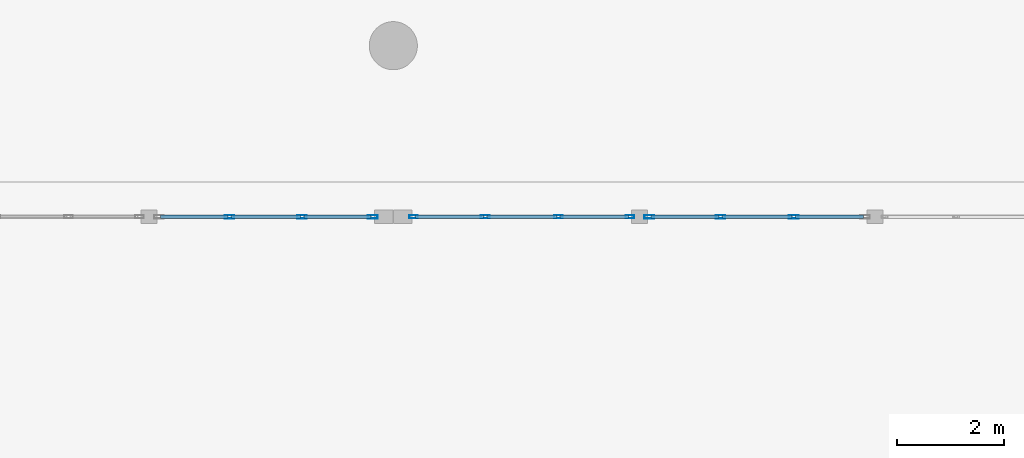
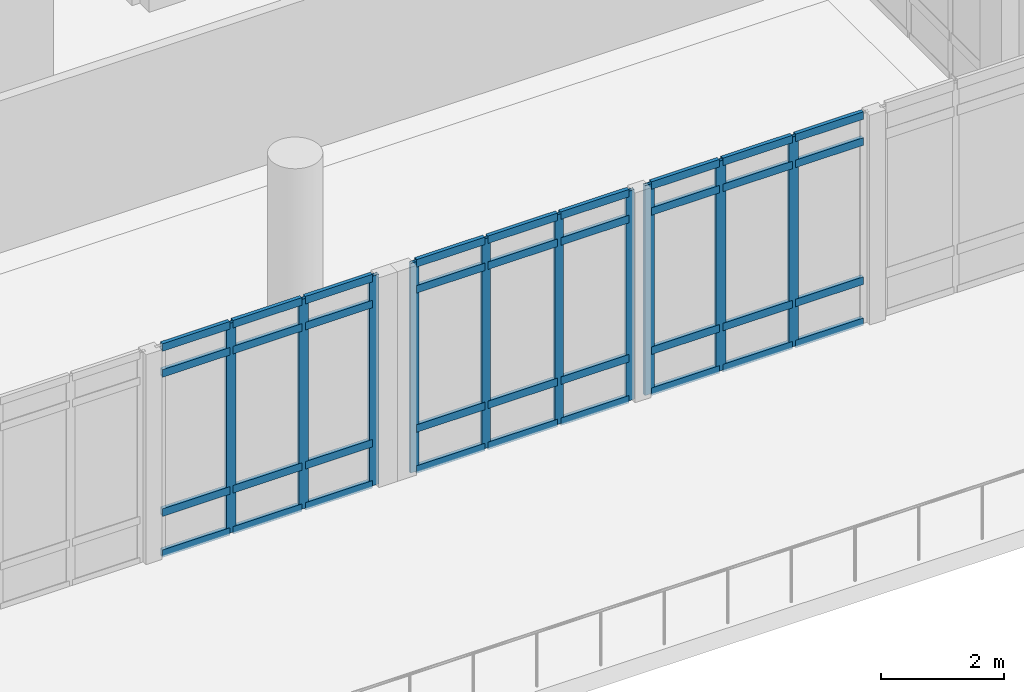
# One storey, part 33 of 55: 46 members, 3 elements without a shape of their own.
"""IFC4 building model written with IfcOpenShell, lengths in metres."""

import ifcopenshell
import ifcopenshell.guid

model = None  # the IFC model being written
_history = None  # IfcOwnerHistory: only IFC2X3 demands one
_inside = {}  # id of a spatial element -> (the spatial element, [elements in it])
_under = {}  # id of a project, library or spatial element -> (it, [spatial elements below it])
_declared = {}  # id of a project -> (the project, [libraries it declares])
_typed = {}  # id of a type object -> (the type object, [elements of that type])
_made_of = {}  # id of a material, layer set ... -> (it, [elements and type objects made of it])


def new_model(schema):
    """Start an empty IFC model of exactly this schema.

    Asked for "IFC4X3", IfcOpenShell would pick the latest addendum, in which some entities
    have other attributes; the version numbers below select the first issue.
    IFC2X3 requires an IfcOwnerHistory on every rooted entity: one is made here for all.
    """
    global model, _history
    if schema == "IFC4X3":
        model = ifcopenshell.file(schema_version=(4, 3, 0, 0))
    else:
        model = ifcopenshell.file(schema=schema)
    _inside.clear()
    _under.clear()
    _declared.clear()
    _typed.clear()
    _made_of.clear()
    _history = None
    if model.schema == "IFC2X3":
        org = make("IfcOrganization", Name="unknown")
        user = make(
            "IfcPersonAndOrganization",
            ThePerson=make("IfcPerson", FamilyName="unknown"),
            TheOrganization=org,
        )
        app = make(
            "IfcApplication",
            ApplicationDeveloper=org,
            Version="unknown",
            ApplicationFullName="unknown",
            ApplicationIdentifier="unknown",
        )
        _history = make(
            "IfcOwnerHistory",
            OwningUser=user,
            OwningApplication=app,
            ChangeAction="ADDED",
            CreationDate=0,
        )
    return model


def make(cls, **values):
    """One entity of the class cls with the attributes given. An attribute that is None is left unset."""
    return model.create_entity(
        cls, **{name: value for name, value in values.items() if value is not None}
    )


def rooted(cls, **values):
    """An entity with a GlobalId (a new one), such as an element, a storey or a relation."""
    return make(cls, GlobalId=ifcopenshell.guid.new(), OwnerHistory=_history, **values)


def si_unit(unit_type, name, prefix=None):
    """IfcSIUnit, for example si_unit("LENGTHUNIT", "METRE", prefix="MILLI")."""
    return make("IfcSIUnit", UnitType=unit_type, Prefix=prefix, Name=name)


def assignment(units):
    """IfcUnitAssignment: the units of a project."""
    return None if units is None else make("IfcUnitAssignment", Units=units)


def point(xyz):
    """IfcCartesianPoint."""
    return None if xyz is None else make("IfcCartesianPoint", Coordinates=xyz)


def direction(xyz):
    """IfcDirection."""
    return None if xyz is None else make("IfcDirection", DirectionRatios=xyz)


def frame(location, z_axis=None, x_axis=None):
    """IfcAxis2Placement3D, a coordinate frame: its origin and axes. An axis left out is left unset."""
    return make(
        "IfcAxis2Placement3D",
        Location=point(location),
        Axis=direction(z_axis),
        RefDirection=direction(x_axis),
    )


def frame_2d(location, x_axis=None):
    """IfcAxis2Placement2D, a coordinate frame in the plane: its origin and x axis."""
    return make(
        "IfcAxis2Placement2D", Location=point(location), RefDirection=direction(x_axis)
    )


def origin():
    """The frame at (0, 0, 0) with its axes left unset."""
    return frame((0.0, 0.0, 0.0))


def origin_2d():
    """The frame at (0, 0) in the plane with its x axis left unset."""
    return frame_2d((0.0, 0.0))


def place(relative_to, where):
    """IfcLocalPlacement: puts the frame where relative to a parent placement (None: the world)."""
    return make(
        "IfcLocalPlacement", PlacementRelTo=relative_to, RelativePlacement=where
    )


def context(
    kind, dimensions, precision=None, world=None, true_north=None, identifier=None
):
    """IfcGeometricRepresentationContext, for example the 3D "Model" context."""
    return make(
        "IfcGeometricRepresentationContext",
        ContextIdentifier=identifier,
        ContextType=kind,
        CoordinateSpaceDimension=dimensions,
        Precision=precision,
        WorldCoordinateSystem=world,
        TrueNorth=true_north,
    )


def subcontext(parent, identifier, kind, view, scale=None):
    """IfcGeometricRepresentationSubContext, for example "Body" below "Model"."""
    return make(
        "IfcGeometricRepresentationSubContext",
        ContextIdentifier=identifier,
        ContextType=kind,
        ParentContext=parent,
        TargetScale=scale,
        TargetView=view,
    )


def project(units=None, contexts=None):
    """IfcProject with its units and contexts."""
    return rooted(
        "IfcProject",
        Name="project",
        RepresentationContexts=contexts,
        UnitsInContext=assignment(units),
    )


def spatial(cls, under=None, at=None, **own):
    """A site, building, storey or space (cls), placed at a placement, below another one or the project."""
    s = rooted(cls, ObjectPlacement=at, **own)
    if under is not None:
        _under.setdefault(under.id(), (under, []))[1].append(s)
    return s


def profile(cls, at=None, kind="AREA", **sizes):
    """A parametric profile (cls). Its sizes go by their IFC names, for example OverallWidth=200.0."""
    return make(cls, ProfileType=kind, Position=at, **sizes)


def hollow_rectangle(**sizes):
    """IfcRectangleHollowProfileDef."""
    return profile("IfcRectangleHollowProfileDef", **sizes)


def extrude(swept, where, along, depth):
    """IfcExtrudedAreaSolid: the profile swept, set in the frame where, extruded along a direction by depth."""
    return make(
        "IfcExtrudedAreaSolid",
        SweptArea=swept,
        Position=where,
        ExtrudedDirection=direction(along),
        Depth=depth,
    )


def shape(context_of_items, identifier, shape_type, items):
    """IfcShapeRepresentation: the items that make up one representation, for example the "Body"."""
    return make(
        "IfcShapeRepresentation",
        ContextOfItems=context_of_items,
        RepresentationIdentifier=identifier,
        RepresentationType=shape_type,
        Items=items,
    )


def material(Name=None, Category=None):
    """IfcMaterial."""
    return make("IfcMaterial", Name=Name, Category=Category)


def layer(
    of_material, thickness, ventilated=None, Name=None, Category=None, Priority=None
):
    """IfcMaterialLayer: one layer of a wall or slab, of a material (None: an air gap)."""
    return make(
        "IfcMaterialLayer",
        Material=of_material,
        LayerThickness=thickness,
        IsVentilated=ventilated,
        Name=Name,
        Category=Category,
        Priority=Priority,
    )


def layer_set(layers, Name=None):
    """IfcMaterialLayerSet."""
    return make("IfcMaterialLayerSet", MaterialLayers=layers, LayerSetName=Name)


def material_profile(
    of_material, cross_section, Name=None, Category=None, Priority=None
):
    """IfcMaterialProfile: a cross section and its material."""
    return make(
        "IfcMaterialProfile",
        Name=Name,
        Material=of_material,
        Profile=cross_section,
        Priority=Priority,
        Category=Category,
    )


def profile_set(profiles, Name=None, composite=None):
    """IfcMaterialProfileSet."""
    return make(
        "IfcMaterialProfileSet",
        Name=Name,
        MaterialProfiles=profiles,
        CompositeProfile=composite,
    )


def made_of(thing, what):
    """Note that an element or type object is made of a material, layer set ...; save() writes the relation."""
    if what is not None:
        _made_of.setdefault(what.id(), (what, []))[1].append(thing)
    return thing


def type_object(cls, material=None, **own):
    """A type object (cls), such as IfcWallType, which elements share."""
    return made_of(rooted(cls, **own), material)


def element(
    cls,
    number,
    at=None,
    inside=None,
    cuts=None,
    type_object=None,
    material=None,
    context=None,
    identifier="Body",
    shape_type=None,
    held_by="IfcProductDefinitionShape",
    body=None,
    shapes=None,
    **own,
):
    """One element of the class cls, such as IfcWall. Its Tag is "e" and its number.

    at: its placement. inside: the storey or other place that contains it. cuts: it is an
    opening in that element (IfcRelVoidsElement). A single representation is given by context,
    identifier, shape_type and body (its items); several are given by shapes. held_by: the class
    of the entity that holds the representations. save() writes the other relations.
    """
    e = rooted(cls, Tag="e%d" % number, ObjectPlacement=at, **own)
    if body is not None:
        shapes = [shape(context, identifier, shape_type, body)]
    if shapes is not None:
        e.Representation = make(held_by, Representations=shapes)
    if inside is not None:
        _inside.setdefault(inside.id(), (inside, []))[1].append(e)
    if cuts is not None:
        rooted(
            "IfcRelVoidsElement", RelatingBuildingElement=cuts, RelatedOpeningElement=e
        )
    if type_object is not None:
        _typed.setdefault(type_object.id(), (type_object, []))[1].append(e)
    return made_of(e, material)


def aggregate(whole, parts):
    """IfcRelAggregates: a whole, such as a stair, and the parts it consists of."""
    return rooted("IfcRelAggregates", RelatingObject=whole, RelatedObjects=parts)


def save(model, path):
    """Write the relations noted so far, then the file.

    IfcRelAggregates (storeys below a building ...), IfcRelContainedInSpatialStructure (elements
    in a storey), IfcRelDefinesByType, IfcRelAssociatesMaterial and IfcRelDeclares: one each for
    every whole, place, type object, material and project.
    """
    for whole, parts in _under.values():
        aggregate(whole, parts)
    for where, things in _inside.values():
        rooted(
            "IfcRelContainedInSpatialStructure",
            RelatedElements=things,
            RelatingStructure=where,
        )
    for kind, things in _typed.values():
        rooted("IfcRelDefinesByType", RelatedObjects=things, RelatingType=kind)
    for what, things in _made_of.values():
        rooted("IfcRelAssociatesMaterial", RelatedObjects=things, RelatingMaterial=what)
    for by, libraries in _declared.values():
        rooted("IfcRelDeclares", RelatingContext=by, RelatedDefinitions=libraries)
    model.write(path)


model = new_model("IFC4")

# Units and contexts
model_context = context("Model", 3, precision=1e-05, world=origin(), true_north=direction((0.0, 1.0)))
body_context = subcontext(model_context, "Body", "Model", "MODEL_VIEW")
ifc_project = project(units=[si_unit("LENGTHUNIT", "METRE"), si_unit("AREAUNIT", "SQUARE_METRE"), si_unit("VOLUMEUNIT", "CUBIC_METRE"), si_unit("PLANEANGLEUNIT", "RADIAN"), si_unit("MASSUNIT", "GRAM", prefix="KILO")], contexts=[model_context])

# Site, building, storey
site_placement = place(None, origin())
site = spatial("IfcSite", under=ifc_project, at=site_placement, CompositionType="ELEMENT")
building_placement = place(site_placement, origin())
building = spatial("IfcBuilding", under=site, at=building_placement, Name="Fikremerkos Civic Library", CompositionType="ELEMENT")
storey_placement = place(building_placement, frame((0.0, 0.0, 18.89990234375)))
storey = spatial("IfcBuildingStorey", under=building, at=storey_placement, Name="L04", CompositionType="ELEMENT", Elevation=18.89990234375)

# Curtain wall, members
ifc_material = material(Name="Anodized aluminium Frame", Category="aluminium")
ifc_layer_1 = layer(ifc_material, 0.159912109375, Name="Anodized aluminium Frame")
ifc_layer_set_1 = layer_set([ifc_layer_1], Name="Anodized aluminium Frame")
curtain_wall_type_1 = type_object("IfcCurtainWallType", Name="Unitised curtain wall CW-17 4600x3600", PredefinedType="USERDEFINED", material=ifc_layer_set_1)
curtain_wall_1_placement = place(storey_placement, origin())
curtain_wall_1 = element("IfcCurtainWall", 1, at=curtain_wall_1_placement, inside=storey, type_object=curtain_wall_type_1, Name="Unitised curtain wall CW-17 L04 #215", ObjectType="UNITISED CURTAIN WALL", PredefinedType="USERDEFINED")
ifc_material_profile_1 = material_profile(ifc_material, hollow_rectangle(XDim=0.06494140625, YDim=0.179931640625, WallThickness=0.00439453125, at=origin_2d()), Name="ALU 180x65x4.5")
ifc_profile_set_1 = profile_set([ifc_material_profile_1], Name="Anodized aluminium Frame")
member_type_1 = type_object("IfcMemberType", Name="Curtain mullion CWM-01 ALU 180x65x4.5", PredefinedType="MULLION", material=ifc_profile_set_1)
member_1_placement = place(storey_placement, frame((107.689697265625, 8.800048828125, 0.0), z_axis=(0.0, 0.0, 1.0), x_axis=(0.0, -1.0, 0.0)))
member_1 = element("IfcMember", 2, at=member_1_placement, type_object=member_type_1, Name="CW-17 mullion 2", PredefinedType="MULLION", context=body_context, shape_type="SweptSolid", body=[
    extrude(hollow_rectangle(XDim=0.06494140625, YDim=0.179931640625, WallThickness=0.00439453125, at=origin_2d()), origin(), (0.0, 0.0, 1.0), 4.16015625),
])
member_2_placement = place(storey_placement, frame((106.322265625, 8.800048828125, 0.0), z_axis=(0.0, 0.0, 1.0), x_axis=(0.0, -1.0, 0.0)))
member_2 = element("IfcMember", 3, at=member_2_placement, type_object=member_type_1, Name="CW-17 mullion 3", PredefinedType="MULLION", context=body_context, shape_type="SweptSolid", body=[
    extrude(hollow_rectangle(XDim=0.06494140625, YDim=0.179931640625, WallThickness=0.00439453125, at=origin_2d()), origin(), (0.0, 0.0, 1.0), 4.16015625),
])
member_3_placement = place(storey_placement, frame((104.987060546875, 8.800048828125, 0.0), z_axis=(0.0, 0.0, 1.0), x_axis=(0.0, -1.0, 0.0)))
member_3 = element("IfcMember", 4, at=member_3_placement, type_object=member_type_1, Name="CW-17 mullion 4", PredefinedType="MULLION", context=body_context, shape_type="SweptSolid", body=[
    extrude(hollow_rectangle(XDim=0.06494140625, YDim=0.179931640625, WallThickness=0.00439453125, at=origin_2d()), origin(), (0.0, 0.0, 1.0), 4.16015625),
])

ifc_layer_2 = layer(ifc_material, 0.159912109375, Name="Anodized aluminium Frame")
ifc_layer_set_2 = layer_set([ifc_layer_2], Name="Anodized aluminium Frame")
curtain_wall_type_2 = type_object("IfcCurtainWallType", Name="Unitised curtain wall CW-01 3600x3600", PredefinedType="USERDEFINED", material=ifc_layer_set_2)
curtain_wall_2_placement = place(storey_placement, origin())
curtain_wall_2 = element("IfcCurtainWall", 5, at=curtain_wall_2_placement, inside=storey, type_object=curtain_wall_type_2, Name="Unitised curtain wall CW-01 L04 #217", ObjectType="UNITISED CURTAIN WALL", PredefinedType="USERDEFINED")
member_4_placement = place(storey_placement, frame((99.8154296875, 8.800048828125, 0.0), z_axis=(0.0, 0.0, 1.0), x_axis=(0.0, -1.0, 0.0)))
member_4 = element("IfcMember", 6, at=member_4_placement, type_object=member_type_1, Name="CW-01 mullion 1", PredefinedType="MULLION", context=body_context, shape_type="SweptSolid", body=[
    extrude(hollow_rectangle(XDim=0.06494140625, YDim=0.179931640625, WallThickness=0.00439453125, at=origin_2d()), origin(), (0.0, 0.0, 1.0), 4.16015625),
])
member_5_placement = place(storey_placement, frame((98.492919921875, 8.800048828125, 0.0), z_axis=(0.0, 0.0, 1.0), x_axis=(0.0, -1.0, 0.0)))
member_5 = element("IfcMember", 7, at=member_5_placement, type_object=member_type_1, Name="CW-01 mullion 2", PredefinedType="MULLION", context=body_context, shape_type="SweptSolid", body=[
    extrude(hollow_rectangle(XDim=0.06494140625, YDim=0.179931640625, WallThickness=0.00439453125, at=origin_2d()), origin(), (0.0, 0.0, 1.0), 4.16015625),
])
member_6_placement = place(storey_placement, frame((97.1376953125, 8.800048828125, 0.0), z_axis=(0.0, 0.0, 1.0), x_axis=(0.0, -1.0, 0.0)))
member_6 = element("IfcMember", 8, at=member_6_placement, type_object=member_type_1, Name="CW-01 mullion 3", PredefinedType="MULLION", context=body_context, shape_type="SweptSolid", body=[
    extrude(hollow_rectangle(XDim=0.06494140625, YDim=0.179931640625, WallThickness=0.00439453125, at=origin_2d()), origin(), (0.0, 0.0, 1.0), 4.16015625),
])

ifc_layer_3 = layer(ifc_material, 0.159912109375, Name="Anodized aluminium Frame")
ifc_layer_set_3 = layer_set([ifc_layer_3], Name="Anodized aluminium Frame")
curtain_wall_type_3 = type_object("IfcCurtainWallType", Name="Unitised curtain wall CW-18 2700x3400", PredefinedType="USERDEFINED", material=ifc_layer_set_3)
curtain_wall_3_placement = place(storey_placement, origin())
curtain_wall_3 = element("IfcCurtainWall", 9, at=curtain_wall_3_placement, inside=storey, type_object=curtain_wall_type_3, Name="Unitised curtain wall CW-18 L04 #216", ObjectType="UNITISED CURTAIN WALL", PredefinedType="USERDEFINED")
ifc_material_profile_2 = material_profile(ifc_material, hollow_rectangle(XDim=0.06005859375, YDim=0.159912109375, WallThickness=0.00390625, at=origin_2d()), Name="ALU 160x60x4")
ifc_profile_set_2 = profile_set([ifc_material_profile_2], Name="Anodized aluminium Frame")
member_type_2 = type_object("IfcMemberType", Name="Curtain mullion CWM-02 ALU 160x60x4", PredefinedType="MULLION", material=ifc_profile_set_2)
member_7_placement = place(storey_placement, frame((104.624755859375, 8.800048828125, 0.0), z_axis=(0.0, 0.0, 1.0), x_axis=(0.0, -1.0, 0.0)))
member_7 = element("IfcMember", 10, at=member_7_placement, type_object=member_type_2, Name="CW-18 mullion 1", PredefinedType="MULLION", context=body_context, shape_type="SweptSolid", body=[
    extrude(hollow_rectangle(XDim=0.06005859375, YDim=0.159912109375, WallThickness=0.00390625, at=origin_2d()), origin(), (0.0, 0.0, 1.0), 4.16015625),
])
member_8_placement = place(storey_placement, frame((103.287109375, 8.800048828125, 0.0), z_axis=(0.0, 0.0, 1.0), x_axis=(0.0, -1.0, 0.0)))
member_8 = element("IfcMember", 11, at=member_8_placement, type_object=member_type_2, Name="CW-18 mullion 2", PredefinedType="MULLION", context=body_context, shape_type="SweptSolid", body=[
    extrude(hollow_rectangle(XDim=0.06005859375, YDim=0.159912109375, WallThickness=0.00390625, at=origin_2d()), origin(), (0.0, 0.0, 1.0), 4.16015625),
])
member_9_placement = place(storey_placement, frame((101.919677734375, 8.800048828125, 0.0), z_axis=(0.0, 0.0, 1.0), x_axis=(0.0, -1.0, 0.0)))
member_9 = element("IfcMember", 12, at=member_9_placement, type_object=member_type_2, Name="CW-18 mullion 3", PredefinedType="MULLION", context=body_context, shape_type="SweptSolid", body=[
    extrude(hollow_rectangle(XDim=0.06005859375, YDim=0.159912109375, WallThickness=0.00390625, at=origin_2d()), origin(), (0.0, 0.0, 1.0), 4.16015625),
])
member_10_placement = place(storey_placement, frame((100.58203125, 8.800048828125, 0.0), z_axis=(0.0, 0.0, 1.0), x_axis=(0.0, -1.0, 0.0)))
member_10 = element("IfcMember", 13, at=member_10_placement, type_object=member_type_2, Name="CW-18 mullion 4", PredefinedType="MULLION", context=body_context, shape_type="SweptSolid", body=[
    extrude(hollow_rectangle(XDim=0.06005859375, YDim=0.159912109375, WallThickness=0.00390625, at=origin_2d()), origin(), (0.0, 0.0, 1.0), 4.16015625),
])

# Member
ifc_material_profile_3 = material_profile(ifc_material, hollow_rectangle(XDim=0.070068359375, YDim=0.14990234375, WallThickness=0.00439453125, at=origin_2d()), Name="ALU 150x70x4.5")
ifc_profile_set_3 = profile_set([ifc_material_profile_3], Name="Anodized aluminium Frame")
member_type_3 = type_object("IfcMemberType", Name="Curtain transom CWT-01 ALU 150x70x4.5", PredefinedType="USERDEFINED", material=ifc_profile_set_3)
member_11_placement = place(storey_placement, frame((108.992431640625, 8.800048828125, 0.03515625), z_axis=(-1.0, 0.0, 0.0), x_axis=(0.0, -1.0, 0.0)))
member_11 = element("IfcMember", 14, at=member_11_placement, type_object=member_type_3, Name="CW-17 transom 1.1", ObjectType="TRANSOM", PredefinedType="USERDEFINED", context=body_context, shape_type="SweptSolid", body=[
    extrude(hollow_rectangle(XDim=0.070068359375, YDim=0.14990234375, WallThickness=0.00439453125, at=origin_2d()), origin(), (0.0, 0.0, 1.0), 1.270263671875),
])

member_12_placement = place(storey_placement, frame((108.992431640625, 8.800048828125, 0.85009765625), z_axis=(-1.0, 0.0, 0.0), x_axis=(0.0, -1.0, 0.0)))
member_12 = element("IfcMember", 15, at=member_12_placement, type_object=member_type_3, Name="CW-17 transom 1.2", ObjectType="TRANSOM", PredefinedType="USERDEFINED", context=body_context, shape_type="SweptSolid", body=[
    extrude(hollow_rectangle(XDim=0.070068359375, YDim=0.14990234375, WallThickness=0.00439453125, at=origin_2d()), origin(), (0.0, 0.0, 1.0), 1.270263671875),
])

member_13_placement = place(storey_placement, frame((108.992431640625, 8.800048828125, 3.610107421875), z_axis=(-1.0, 0.0, 0.0), x_axis=(0.0, -1.0, 0.0)))
member_13 = element("IfcMember", 16, at=member_13_placement, type_object=member_type_3, Name="CW-17 transom 1.3", ObjectType="TRANSOM", PredefinedType="USERDEFINED", context=body_context, shape_type="SweptSolid", body=[
    extrude(hollow_rectangle(XDim=0.070068359375, YDim=0.14990234375, WallThickness=0.00439453125, at=origin_2d()), origin(), (0.0, 0.0, 1.0), 1.270263671875),
])

member_14_placement = place(storey_placement, frame((108.992431640625, 8.800048828125, 4.125), z_axis=(-1.0, 0.0, 0.0), x_axis=(0.0, -1.0, 0.0)))
member_14 = element("IfcMember", 17, at=member_14_placement, type_object=member_type_3, Name="CW-17 transom 1.4", ObjectType="TRANSOM", PredefinedType="USERDEFINED", context=body_context, shape_type="SweptSolid", body=[
    extrude(hollow_rectangle(XDim=0.070068359375, YDim=0.14990234375, WallThickness=0.00439453125, at=origin_2d()), origin(), (0.0, 0.0, 1.0), 1.270263671875),
])

member_15_placement = place(storey_placement, frame((107.6572265625, 8.800048828125, 0.03515625), z_axis=(-1.0, 0.0, 0.0), x_axis=(0.0, -1.0, 0.0)))
member_15 = element("IfcMember", 18, at=member_15_placement, type_object=member_type_3, Name="CW-17 transom 2.1", ObjectType="TRANSOM", PredefinedType="USERDEFINED", context=body_context, shape_type="SweptSolid", body=[
    extrude(hollow_rectangle(XDim=0.070068359375, YDim=0.14990234375, WallThickness=0.00439453125, at=origin_2d()), origin(), (0.0, 0.0, 1.0), 1.302490234375),
])

member_16_placement = place(storey_placement, frame((107.6572265625, 8.800048828125, 0.85009765625), z_axis=(-1.0, 0.0, 0.0), x_axis=(0.0, -1.0, 0.0)))
member_16 = element("IfcMember", 19, at=member_16_placement, type_object=member_type_3, Name="CW-17 transom 2.2", ObjectType="TRANSOM", PredefinedType="USERDEFINED", context=body_context, shape_type="SweptSolid", body=[
    extrude(hollow_rectangle(XDim=0.070068359375, YDim=0.14990234375, WallThickness=0.00439453125, at=origin_2d()), origin(), (0.0, 0.0, 1.0), 1.302490234375),
])

member_17_placement = place(storey_placement, frame((107.6572265625, 8.800048828125, 3.610107421875), z_axis=(-1.0, 0.0, 0.0), x_axis=(0.0, -1.0, 0.0)))
member_17 = element("IfcMember", 20, at=member_17_placement, type_object=member_type_3, Name="CW-17 transom 2.3", ObjectType="TRANSOM", PredefinedType="USERDEFINED", context=body_context, shape_type="SweptSolid", body=[
    extrude(hollow_rectangle(XDim=0.070068359375, YDim=0.14990234375, WallThickness=0.00439453125, at=origin_2d()), origin(), (0.0, 0.0, 1.0), 1.302490234375),
])

member_18_placement = place(storey_placement, frame((107.6572265625, 8.800048828125, 4.125), z_axis=(-1.0, 0.0, 0.0), x_axis=(0.0, -1.0, 0.0)))
member_18 = element("IfcMember", 21, at=member_18_placement, type_object=member_type_3, Name="CW-17 transom 2.4", ObjectType="TRANSOM", PredefinedType="USERDEFINED", context=body_context, shape_type="SweptSolid", body=[
    extrude(hollow_rectangle(XDim=0.070068359375, YDim=0.14990234375, WallThickness=0.00439453125, at=origin_2d()), origin(), (0.0, 0.0, 1.0), 1.302490234375),
])

member_19_placement = place(storey_placement, frame((106.289794921875, 8.800048828125, 0.03515625), z_axis=(-1.0, 0.0, 0.0), x_axis=(0.0, -1.0, 0.0)))
member_19 = element("IfcMember", 22, at=member_19_placement, type_object=member_type_3, Name="CW-17 transom 3.1", ObjectType="TRANSOM", PredefinedType="USERDEFINED", context=body_context, shape_type="SweptSolid", body=[
    extrude(hollow_rectangle(XDim=0.070068359375, YDim=0.14990234375, WallThickness=0.00439453125, at=origin_2d()), origin(), (0.0, 0.0, 1.0), 1.27001953125),
])

member_20_placement = place(storey_placement, frame((106.289794921875, 8.800048828125, 0.85009765625), z_axis=(-1.0, 0.0, 0.0), x_axis=(0.0, -1.0, 0.0)))
member_20 = element("IfcMember", 23, at=member_20_placement, type_object=member_type_3, Name="CW-17 transom 3.2", ObjectType="TRANSOM", PredefinedType="USERDEFINED", context=body_context, shape_type="SweptSolid", body=[
    extrude(hollow_rectangle(XDim=0.070068359375, YDim=0.14990234375, WallThickness=0.00439453125, at=origin_2d()), origin(), (0.0, 0.0, 1.0), 1.27001953125),
])

member_21_placement = place(storey_placement, frame((106.289794921875, 8.800048828125, 3.610107421875), z_axis=(-1.0, 0.0, 0.0), x_axis=(0.0, -1.0, 0.0)))
member_21 = element("IfcMember", 24, at=member_21_placement, type_object=member_type_3, Name="CW-17 transom 3.3", ObjectType="TRANSOM", PredefinedType="USERDEFINED", context=body_context, shape_type="SweptSolid", body=[
    extrude(hollow_rectangle(XDim=0.070068359375, YDim=0.14990234375, WallThickness=0.00439453125, at=origin_2d()), origin(), (0.0, 0.0, 1.0), 1.27001953125),
])

member_22_placement = place(storey_placement, frame((106.289794921875, 8.800048828125, 4.125), z_axis=(-1.0, 0.0, 0.0), x_axis=(0.0, -1.0, 0.0)))
member_22 = element("IfcMember", 25, at=member_22_placement, type_object=member_type_3, Name="CW-17 transom 3.4", ObjectType="TRANSOM", PredefinedType="USERDEFINED", context=body_context, shape_type="SweptSolid", body=[
    extrude(hollow_rectangle(XDim=0.070068359375, YDim=0.14990234375, WallThickness=0.00439453125, at=origin_2d()), origin(), (0.0, 0.0, 1.0), 1.27001953125),
])

aggregate(curtain_wall_1, [member_1, member_2, member_3, member_11, member_12, member_13, member_14, member_15, member_16, member_17, member_18, member_19, member_20, member_21, member_22])

member_23_placement = place(storey_placement, frame((104.5947265625, 8.800048828125, 0.03515625), z_axis=(-1.0, 0.0, 0.0), x_axis=(0.0, -1.0, 0.0)))
member_23 = element("IfcMember", 26, at=member_23_placement, type_object=member_type_3, Name="CW-18 transom 1.1", ObjectType="TRANSOM", PredefinedType="USERDEFINED", context=body_context, shape_type="SweptSolid", body=[
    extrude(hollow_rectangle(XDim=0.070068359375, YDim=0.14990234375, WallThickness=0.00439453125, at=origin_2d()), origin(), (0.0, 0.0, 1.0), 1.277587890625),
])

member_24_placement = place(storey_placement, frame((104.5947265625, 8.800048828125, 0.85009765625), z_axis=(-1.0, 0.0, 0.0), x_axis=(0.0, -1.0, 0.0)))
member_24 = element("IfcMember", 27, at=member_24_placement, type_object=member_type_3, Name="CW-18 transom 1.2", ObjectType="TRANSOM", PredefinedType="USERDEFINED", context=body_context, shape_type="SweptSolid", body=[
    extrude(hollow_rectangle(XDim=0.070068359375, YDim=0.14990234375, WallThickness=0.00439453125, at=origin_2d()), origin(), (0.0, 0.0, 1.0), 1.277587890625),
])

member_25_placement = place(storey_placement, frame((104.5947265625, 8.800048828125, 3.610107421875), z_axis=(-1.0, 0.0, 0.0), x_axis=(0.0, -1.0, 0.0)))
member_25 = element("IfcMember", 28, at=member_25_placement, type_object=member_type_3, Name="CW-18 transom 1.3", ObjectType="TRANSOM", PredefinedType="USERDEFINED", context=body_context, shape_type="SweptSolid", body=[
    extrude(hollow_rectangle(XDim=0.070068359375, YDim=0.14990234375, WallThickness=0.00439453125, at=origin_2d()), origin(), (0.0, 0.0, 1.0), 1.277587890625),
])

member_26_placement = place(storey_placement, frame((104.5947265625, 8.800048828125, 4.125), z_axis=(-1.0, 0.0, 0.0), x_axis=(0.0, -1.0, 0.0)))
member_26 = element("IfcMember", 29, at=member_26_placement, type_object=member_type_3, Name="CW-18 transom 1.4", ObjectType="TRANSOM", PredefinedType="USERDEFINED", context=body_context, shape_type="SweptSolid", body=[
    extrude(hollow_rectangle(XDim=0.070068359375, YDim=0.14990234375, WallThickness=0.00439453125, at=origin_2d()), origin(), (0.0, 0.0, 1.0), 1.277587890625),
])

member_27_placement = place(storey_placement, frame((103.257080078125, 8.800048828125, 0.03515625), z_axis=(-1.0, 0.0, 0.0), x_axis=(0.0, -1.0, 0.0)))
member_27 = element("IfcMember", 30, at=member_27_placement, type_object=member_type_3, Name="CW-18 transom 2.1", ObjectType="TRANSOM", PredefinedType="USERDEFINED", context=body_context, shape_type="SweptSolid", body=[
    extrude(hollow_rectangle(XDim=0.070068359375, YDim=0.14990234375, WallThickness=0.00439453125, at=origin_2d()), origin(), (0.0, 0.0, 1.0), 1.3076171875),
])

member_28_placement = place(storey_placement, frame((103.257080078125, 8.800048828125, 0.85009765625), z_axis=(-1.0, 0.0, 0.0), x_axis=(0.0, -1.0, 0.0)))
member_28 = element("IfcMember", 31, at=member_28_placement, type_object=member_type_3, Name="CW-18 transom 2.2", ObjectType="TRANSOM", PredefinedType="USERDEFINED", context=body_context, shape_type="SweptSolid", body=[
    extrude(hollow_rectangle(XDim=0.070068359375, YDim=0.14990234375, WallThickness=0.00439453125, at=origin_2d()), origin(), (0.0, 0.0, 1.0), 1.3076171875),
])

member_29_placement = place(storey_placement, frame((103.257080078125, 8.800048828125, 3.610107421875), z_axis=(-1.0, 0.0, 0.0), x_axis=(0.0, -1.0, 0.0)))
member_29 = element("IfcMember", 32, at=member_29_placement, type_object=member_type_3, Name="CW-18 transom 2.3", ObjectType="TRANSOM", PredefinedType="USERDEFINED", context=body_context, shape_type="SweptSolid", body=[
    extrude(hollow_rectangle(XDim=0.070068359375, YDim=0.14990234375, WallThickness=0.00439453125, at=origin_2d()), origin(), (0.0, 0.0, 1.0), 1.3076171875),
])

member_30_placement = place(storey_placement, frame((103.257080078125, 8.800048828125, 4.125), z_axis=(-1.0, 0.0, 0.0), x_axis=(0.0, -1.0, 0.0)))
member_30 = element("IfcMember", 33, at=member_30_placement, type_object=member_type_3, Name="CW-18 transom 2.4", ObjectType="TRANSOM", PredefinedType="USERDEFINED", context=body_context, shape_type="SweptSolid", body=[
    extrude(hollow_rectangle(XDim=0.070068359375, YDim=0.14990234375, WallThickness=0.00439453125, at=origin_2d()), origin(), (0.0, 0.0, 1.0), 1.3076171875),
])

member_31_placement = place(storey_placement, frame((101.8896484375, 8.800048828125, 0.03515625), z_axis=(-1.0, 0.0, 0.0), x_axis=(0.0, -1.0, 0.0)))
member_31 = element("IfcMember", 34, at=member_31_placement, type_object=member_type_3, Name="CW-18 transom 3.1", ObjectType="TRANSOM", PredefinedType="USERDEFINED", context=body_context, shape_type="SweptSolid", body=[
    extrude(hollow_rectangle(XDim=0.070068359375, YDim=0.14990234375, WallThickness=0.00439453125, at=origin_2d()), origin(), (0.0, 0.0, 1.0), 1.277587890625),
])

member_32_placement = place(storey_placement, frame((101.8896484375, 8.800048828125, 0.85009765625), z_axis=(-1.0, 0.0, 0.0), x_axis=(0.0, -1.0, 0.0)))
member_32 = element("IfcMember", 35, at=member_32_placement, type_object=member_type_3, Name="CW-18 transom 3.2", ObjectType="TRANSOM", PredefinedType="USERDEFINED", context=body_context, shape_type="SweptSolid", body=[
    extrude(hollow_rectangle(XDim=0.070068359375, YDim=0.14990234375, WallThickness=0.00439453125, at=origin_2d()), origin(), (0.0, 0.0, 1.0), 1.277587890625),
])

member_33_placement = place(storey_placement, frame((101.8896484375, 8.800048828125, 3.610107421875), z_axis=(-1.0, 0.0, 0.0), x_axis=(0.0, -1.0, 0.0)))
member_33 = element("IfcMember", 36, at=member_33_placement, type_object=member_type_3, Name="CW-18 transom 3.3", ObjectType="TRANSOM", PredefinedType="USERDEFINED", context=body_context, shape_type="SweptSolid", body=[
    extrude(hollow_rectangle(XDim=0.070068359375, YDim=0.14990234375, WallThickness=0.00439453125, at=origin_2d()), origin(), (0.0, 0.0, 1.0), 1.277587890625),
])

member_34_placement = place(storey_placement, frame((101.8896484375, 8.800048828125, 4.125), z_axis=(-1.0, 0.0, 0.0), x_axis=(0.0, -1.0, 0.0)))
member_34 = element("IfcMember", 37, at=member_34_placement, type_object=member_type_3, Name="CW-18 transom 3.4", ObjectType="TRANSOM", PredefinedType="USERDEFINED", context=body_context, shape_type="SweptSolid", body=[
    extrude(hollow_rectangle(XDim=0.070068359375, YDim=0.14990234375, WallThickness=0.00439453125, at=origin_2d()), origin(), (0.0, 0.0, 1.0), 1.277587890625),
])

aggregate(curtain_wall_3, [member_7, member_8, member_9, member_10, member_23, member_24, member_25, member_26, member_27, member_28, member_29, member_30, member_31, member_32, member_33, member_34])

member_35_placement = place(storey_placement, frame((99.782958984375, 8.800048828125, 0.03515625), z_axis=(-1.0, 0.0, 0.0), x_axis=(0.0, -1.0, 0.0)))
member_35 = element("IfcMember", 38, at=member_35_placement, type_object=member_type_3, Name="CW-01 transom 1.1", ObjectType="TRANSOM", PredefinedType="USERDEFINED", context=body_context, shape_type="SweptSolid", body=[
    extrude(hollow_rectangle(XDim=0.070068359375, YDim=0.14990234375, WallThickness=0.00439453125, at=origin_2d()), origin(), (0.0, 0.0, 1.0), 1.257568359375),
])

member_36_placement = place(storey_placement, frame((99.782958984375, 8.800048828125, 0.85009765625), z_axis=(-1.0, 0.0, 0.0), x_axis=(0.0, -1.0, 0.0)))
member_36 = element("IfcMember", 39, at=member_36_placement, type_object=member_type_3, Name="CW-01 transom 1.2", ObjectType="TRANSOM", PredefinedType="USERDEFINED", context=body_context, shape_type="SweptSolid", body=[
    extrude(hollow_rectangle(XDim=0.070068359375, YDim=0.14990234375, WallThickness=0.00439453125, at=origin_2d()), origin(), (0.0, 0.0, 1.0), 1.257568359375),
])

member_37_placement = place(storey_placement, frame((99.782958984375, 8.800048828125, 3.610107421875), z_axis=(-1.0, 0.0, 0.0), x_axis=(0.0, -1.0, 0.0)))
member_37 = element("IfcMember", 40, at=member_37_placement, type_object=member_type_3, Name="CW-01 transom 1.3", ObjectType="TRANSOM", PredefinedType="USERDEFINED", context=body_context, shape_type="SweptSolid", body=[
    extrude(hollow_rectangle(XDim=0.070068359375, YDim=0.14990234375, WallThickness=0.00439453125, at=origin_2d()), origin(), (0.0, 0.0, 1.0), 1.257568359375),
])

member_38_placement = place(storey_placement, frame((99.782958984375, 8.800048828125, 4.125), z_axis=(-1.0, 0.0, 0.0), x_axis=(0.0, -1.0, 0.0)))
member_38 = element("IfcMember", 41, at=member_38_placement, type_object=member_type_3, Name="CW-01 transom 1.4", ObjectType="TRANSOM", PredefinedType="USERDEFINED", context=body_context, shape_type="SweptSolid", body=[
    extrude(hollow_rectangle(XDim=0.070068359375, YDim=0.14990234375, WallThickness=0.00439453125, at=origin_2d()), origin(), (0.0, 0.0, 1.0), 1.257568359375),
])

member_39_placement = place(storey_placement, frame((98.46044921875, 8.800048828125, 0.03515625), z_axis=(-1.0, 0.0, 0.0), x_axis=(0.0, -1.0, 0.0)))
member_39 = element("IfcMember", 42, at=member_39_placement, type_object=member_type_3, Name="CW-01 transom 2.1", ObjectType="TRANSOM", PredefinedType="USERDEFINED", context=body_context, shape_type="SweptSolid", body=[
    extrude(hollow_rectangle(XDim=0.070068359375, YDim=0.14990234375, WallThickness=0.00439453125, at=origin_2d()), origin(), (0.0, 0.0, 1.0), 1.290283203125),
])

member_40_placement = place(storey_placement, frame((98.46044921875, 8.800048828125, 0.85009765625), z_axis=(-1.0, 0.0, 0.0), x_axis=(0.0, -1.0, 0.0)))
member_40 = element("IfcMember", 43, at=member_40_placement, type_object=member_type_3, Name="CW-01 transom 2.2", ObjectType="TRANSOM", PredefinedType="USERDEFINED", context=body_context, shape_type="SweptSolid", body=[
    extrude(hollow_rectangle(XDim=0.070068359375, YDim=0.14990234375, WallThickness=0.00439453125, at=origin_2d()), origin(), (0.0, 0.0, 1.0), 1.290283203125),
])

member_41_placement = place(storey_placement, frame((98.46044921875, 8.800048828125, 3.610107421875), z_axis=(-1.0, 0.0, 0.0), x_axis=(0.0, -1.0, 0.0)))
member_41 = element("IfcMember", 44, at=member_41_placement, type_object=member_type_3, Name="CW-01 transom 2.3", ObjectType="TRANSOM", PredefinedType="USERDEFINED", context=body_context, shape_type="SweptSolid", body=[
    extrude(hollow_rectangle(XDim=0.070068359375, YDim=0.14990234375, WallThickness=0.00439453125, at=origin_2d()), origin(), (0.0, 0.0, 1.0), 1.290283203125),
])

member_42_placement = place(storey_placement, frame((98.46044921875, 8.800048828125, 4.125), z_axis=(-1.0, 0.0, 0.0), x_axis=(0.0, -1.0, 0.0)))
member_42 = element("IfcMember", 45, at=member_42_placement, type_object=member_type_3, Name="CW-01 transom 2.4", ObjectType="TRANSOM", PredefinedType="USERDEFINED", context=body_context, shape_type="SweptSolid", body=[
    extrude(hollow_rectangle(XDim=0.070068359375, YDim=0.14990234375, WallThickness=0.00439453125, at=origin_2d()), origin(), (0.0, 0.0, 1.0), 1.290283203125),
])

member_43_placement = place(storey_placement, frame((97.105224609375, 8.800048828125, 0.03515625), z_axis=(-1.0, 0.0, 0.0), x_axis=(0.0, -1.0, 0.0)))
member_43 = element("IfcMember", 46, at=member_43_placement, type_object=member_type_3, Name="CW-01 transom 3.1", ObjectType="TRANSOM", PredefinedType="USERDEFINED", context=body_context, shape_type="SweptSolid", body=[
    extrude(hollow_rectangle(XDim=0.070068359375, YDim=0.14990234375, WallThickness=0.00439453125, at=origin_2d()), origin(), (0.0, 0.0, 1.0), 1.257568359375),
])

member_44_placement = place(storey_placement, frame((97.105224609375, 8.800048828125, 0.85009765625), z_axis=(-1.0, 0.0, 0.0), x_axis=(0.0, -1.0, 0.0)))
member_44 = element("IfcMember", 47, at=member_44_placement, type_object=member_type_3, Name="CW-01 transom 3.2", ObjectType="TRANSOM", PredefinedType="USERDEFINED", context=body_context, shape_type="SweptSolid", body=[
    extrude(hollow_rectangle(XDim=0.070068359375, YDim=0.14990234375, WallThickness=0.00439453125, at=origin_2d()), origin(), (0.0, 0.0, 1.0), 1.257568359375),
])

member_45_placement = place(storey_placement, frame((97.105224609375, 8.800048828125, 3.610107421875), z_axis=(-1.0, 0.0, 0.0), x_axis=(0.0, -1.0, 0.0)))
member_45 = element("IfcMember", 48, at=member_45_placement, type_object=member_type_3, Name="CW-01 transom 3.3", ObjectType="TRANSOM", PredefinedType="USERDEFINED", context=body_context, shape_type="SweptSolid", body=[
    extrude(hollow_rectangle(XDim=0.070068359375, YDim=0.14990234375, WallThickness=0.00439453125, at=origin_2d()), origin(), (0.0, 0.0, 1.0), 1.257568359375),
])

member_46_placement = place(storey_placement, frame((97.105224609375, 8.800048828125, 4.125), z_axis=(-1.0, 0.0, 0.0), x_axis=(0.0, -1.0, 0.0)))
member_46 = element("IfcMember", 49, at=member_46_placement, type_object=member_type_3, Name="CW-01 transom 3.4", ObjectType="TRANSOM", PredefinedType="USERDEFINED", context=body_context, shape_type="SweptSolid", body=[
    extrude(hollow_rectangle(XDim=0.070068359375, YDim=0.14990234375, WallThickness=0.00439453125, at=origin_2d()), origin(), (0.0, 0.0, 1.0), 1.257568359375),
])

aggregate(curtain_wall_2, [member_4, member_5, member_6, member_35, member_36, member_37, member_38, member_39, member_40, member_41, member_42, member_43, member_44, member_45, member_46])

save(model, "model.ifc")
